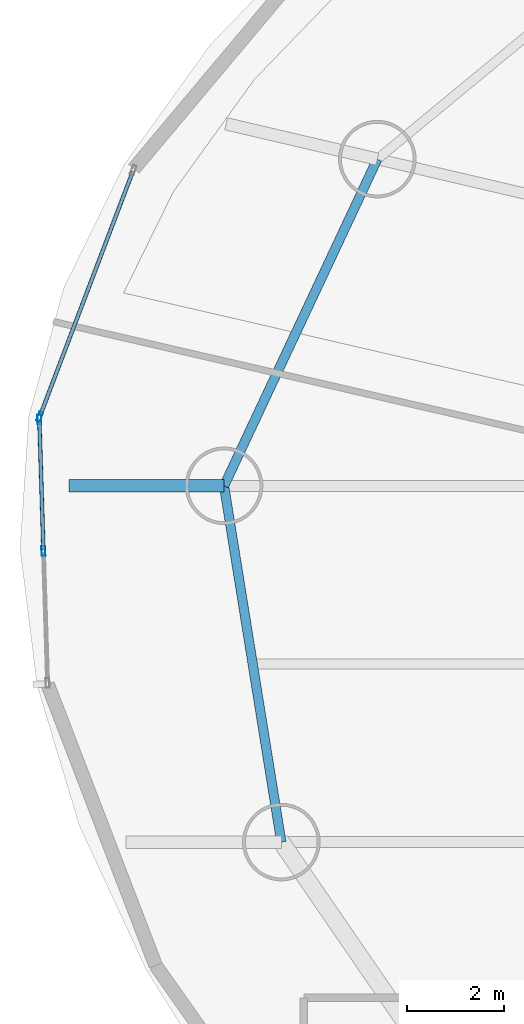
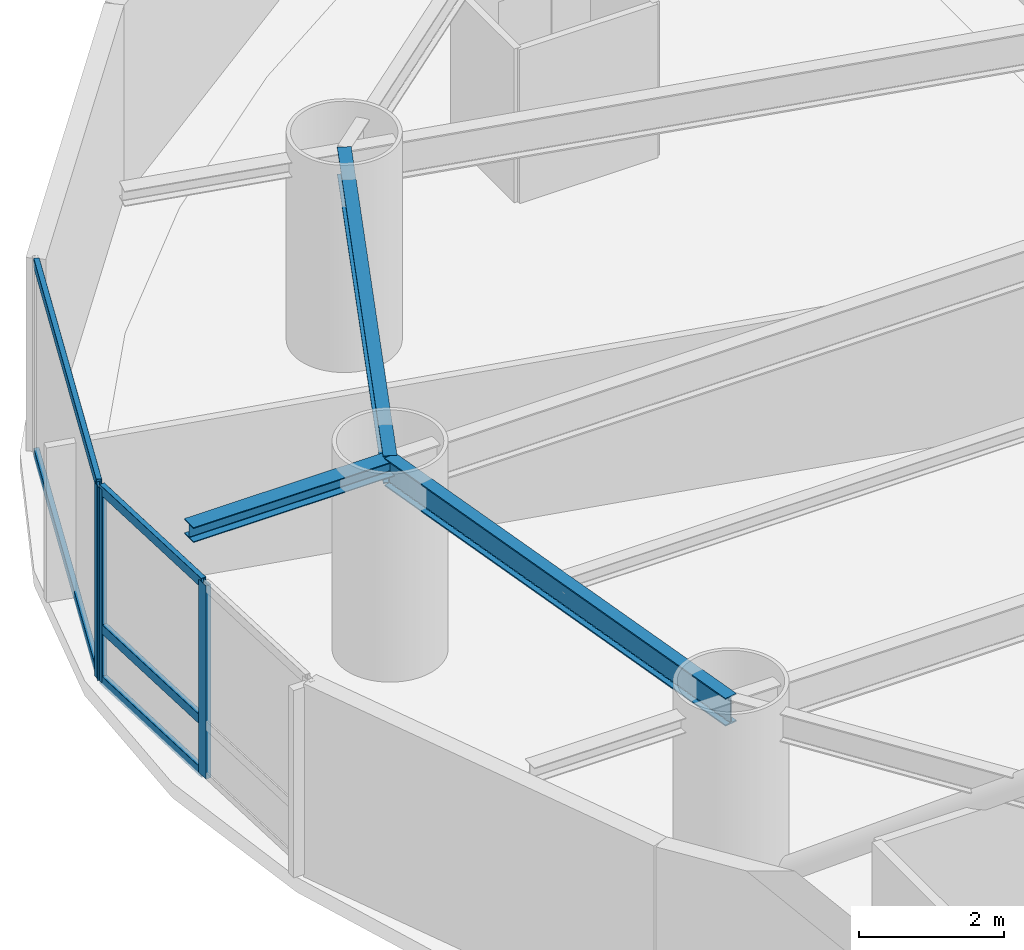
# One storey, part 6 of 27: 8 members, 3 beams, 2 elements without a shape of their own.
"""IFC4 building model written with IfcOpenShell, lengths in metres."""

from ifc_helpers import new_model, si_unit, direction, frame, origin, origin_2d, place, context, subcontext, project, spatial, hollow_rectangle, i_section, extrude, material, layer, layer_set, material_profile, profile_set, type_object, element, aggregate, save


model = new_model("IFC4")

# Units and contexts
model_context = context("Model", 3, precision=1e-05, world=origin(), true_north=direction((0.0, 1.0)))
body_context = subcontext(model_context, "Body", "Model", "MODEL_VIEW")
ifc_project = project(units=[si_unit("LENGTHUNIT", "METRE"), si_unit("AREAUNIT", "SQUARE_METRE"), si_unit("VOLUMEUNIT", "CUBIC_METRE"), si_unit("PLANEANGLEUNIT", "RADIAN"), si_unit("MASSUNIT", "GRAM", prefix="KILO")], contexts=[model_context])

# Site, building, storey
site_placement = place(None, origin())
site = spatial("IfcSite", under=ifc_project, at=site_placement, CompositionType="ELEMENT")
building_placement = place(site_placement, origin())
building = spatial("IfcBuilding", under=site, at=building_placement, Name="Bramvorn Convention Spire", CompositionType="ELEMENT")
storey_placement = place(building_placement, frame((0.0, 0.0, 72.89990234375)))
storey = spatial("IfcBuildingStorey", under=building, at=storey_placement, Name="L16", CompositionType="ELEMENT", Elevation=72.89990234375)

# Beams
ifc_material_1 = material(Name="Steel CSA G40.21 Grade 350 (350W)", Category="steel")
ifc_material_profile_1 = material_profile(ifc_material_1, i_section(OverallWidth=0.25390625, OverallDepth=0.2529296875, WebThickness=0.008544921875, FlangeThickness=0.01416015625, FilletRadius=0.011962890625, at=origin_2d()))
ifc_profile_set_1 = profile_set([ifc_material_profile_1], Name="Steel CSA G40.21 Grade 350 (350W) - W250X73")
beam_type_1 = type_object("IfcBeamType", Name="BM-W250X73", PredefinedType="BEAM", material=ifc_profile_set_1)
beam_placement = place(storey_placement, frame((9.480224609375, 30.00830078125, 3.108642578125), z_axis=(-1.0, 0.0, 0.0), x_axis=(0.0, -1.0, 0.0)))
element("IfcBeam", 1, at=beam_placement, inside=storey, type_object=beam_type_1, Name="L16 slab-edge cantilever tip beam MC09", PredefinedType="BEAM", context=body_context, shape_type="SweptSolid", body=[
    extrude(i_section(OverallWidth=0.25390625, OverallDepth=0.2529296875, WebThickness=0.008544921875, FlangeThickness=0.01416015625, FilletRadius=0.011962890625, at=origin_2d()), origin(), (0.0, 0.0, 1.0), 3.199951171875),
])
ifc_material_profile_2 = material_profile(ifc_material_1, i_section(OverallWidth=0.194091796875, OverallDepth=0.468994140625, WebThickness=0.0126953125, FlangeThickness=0.0205078125, FilletRadius=0.01806640625, at=origin_2d()))
ifc_profile_set_2 = profile_set([ifc_material_profile_2], Name="Steel CSA G40.21 Grade 350 (350W) - W460X106")
beam_type_2 = type_object("IfcBeamType", Name="BM-W460X106", PredefinedType="SPANDREL", material=ifc_profile_set_2)
for number, where, z_axis, x_axis, name in (
    (2, (12.64111328125, 36.746337890625, 3.015625), (-0.424701955478, -0.9053332254, 0.0), (0.9053332254, -0.424701955478, 0.0), "L16 mega-column ring beam 08"),
    (3, (9.480224609375, 30.00830078125, 3.015625), (0.158699222824, -0.987326975563, 0.0), (0.987326975563, 0.158699222824, 0.0), "L16 mega-column ring beam 09"),
):
    element("IfcBeam", number, at=place(storey_placement, frame(where, z_axis=z_axis, x_axis=x_axis)), inside=storey, type_object=beam_type_2, Name=name, PredefinedType="SPANDREL", context=body_context, shape_type="SweptSolid", body=[
        extrude(i_section(OverallWidth=0.194091796875, OverallDepth=0.468994140625, WebThickness=0.0126953125, FlangeThickness=0.0205078125, FilletRadius=0.01806640625, at=origin_2d()), origin(), (0.0, 0.0, 1.0), 7.442626953125),
    ])

# Curtain wall, member
ifc_material_2 = material(Name="Anodised Bronze Unitised Curtain Wall", Category="aluminium")
ifc_layer = layer(ifc_material_2, 0.179931640625)
ifc_layer_set = layer_set([ifc_layer], Name="Anodised Bronze Unitised Curtain Wall - CW-HTL-FRIT")
curtain_wall_type = type_object("IfcCurtainWallType", Name="CW-HTL-FRIT", PredefinedType="USERDEFINED", material=ifc_layer_set)
curtain_wall_1_placement = place(storey_placement, origin())
curtain_wall_1 = element("IfcCurtainWall", 4, at=curtain_wall_1_placement, inside=storey, type_object=curtain_wall_type, Name="L16 fritted glass curtain wall 12", ObjectType="UNITISED CURTAIN WALL", PredefinedType="USERDEFINED")
ifc_material_3 = material(Name="Anodised Bronze Aluminium 6063-T6", Category="aluminium")
ifc_material_profile_3 = material_profile(ifc_material_3, hollow_rectangle(XDim=0.080078125, YDim=0.199951171875, WallThickness=0.00390625, InnerFilletRadius=0.0009765625, OuterFilletRadius=0.00390625, at=origin_2d()))
ifc_profile_set_3 = profile_set([ifc_material_profile_3], Name="Anodised Bronze Aluminium 6063-T6 - CWM80X200")
member_type_1 = type_object("IfcMemberType", Name="CW-MUL-180", PredefinedType="MULLION", material=ifc_profile_set_3)
member_1_placement = place(storey_placement, frame((5.68017578125, 31.438232421875, 0.0), z_axis=(0.0, 0.0, 1.0), x_axis=(-0.934904934292, 0.354898244342, 0.0)))
member_1 = element("IfcMember", 5, at=member_1_placement, type_object=member_type_1, Name="CW2 mullion 1", PredefinedType="MULLION", context=body_context, shape_type="SweptSolid", body=[
    extrude(hollow_rectangle(XDim=0.080078125, YDim=0.199951171875, WallThickness=0.00390625, InnerFilletRadius=0.0009765625, OuterFilletRadius=0.00390625, at=origin_2d()), origin(), (0.0, 0.0, 1.0), 3.25),
])

# Curtain wall, members
curtain_wall_2_placement = place(storey_placement, origin())
curtain_wall_2 = element("IfcCurtainWall", 6, at=curtain_wall_2_placement, inside=storey, type_object=curtain_wall_type, Name="L16 fritted glass curtain wall 13", ObjectType="UNITISED CURTAIN WALL", PredefinedType="USERDEFINED")
member_2_placement = place(storey_placement, frame((5.75537109375, 28.662841796875, 0.0), z_axis=(0.0, 0.0, 1.0), x_axis=(-0.999513282103, -0.031196135965, 0.0)))
member_2 = element("IfcMember", 7, at=member_2_placement, type_object=member_type_1, Name="CW2 mullion 2", PredefinedType="MULLION", context=body_context, shape_type="SweptSolid", body=[
    extrude(hollow_rectangle(XDim=0.080078125, YDim=0.199951171875, WallThickness=0.00390625, InnerFilletRadius=0.0009765625, OuterFilletRadius=0.00390625, at=origin_2d()), origin(), (0.0, 0.0, 1.0), 3.25),
])
member_3_placement = place(storey_placement, frame((5.670654296875, 31.38037109375, 0.0), z_axis=(0.0, 0.0, 1.0), x_axis=(-0.999513282103, -0.031196135965, 0.0)))
member_3 = element("IfcMember", 8, at=member_3_placement, type_object=member_type_1, Name="CW2 mullion 3", PredefinedType="MULLION", context=body_context, shape_type="SweptSolid", body=[
    extrude(hollow_rectangle(XDim=0.080078125, YDim=0.199951171875, WallThickness=0.00390625, InnerFilletRadius=0.0009765625, OuterFilletRadius=0.00390625, at=origin_2d()), origin(), (0.0, 0.0, 1.0), 3.25),
])

# Member
ifc_material_profile_4 = material_profile(ifc_material_3, hollow_rectangle(XDim=0.080078125, YDim=0.159912109375, WallThickness=0.00390625, InnerFilletRadius=0.0009765625, OuterFilletRadius=0.00390625, at=origin_2d()))
ifc_profile_set_4 = profile_set([ifc_material_profile_4], Name="Anodised Bronze Aluminium 6063-T6 - CWT80X160")
member_type_2 = type_object("IfcMemberType", Name="CW-TRN-150", PredefinedType="USERDEFINED", material=ifc_profile_set_4)
member_4_placement = place(storey_placement, frame((5.69091796875, 31.46630859375, 0.030029296875), z_axis=(0.354901946635, 0.93490352886, 0.0), x_axis=(-0.93490352886, 0.354901946635, 0.0)))
member_4 = element("IfcMember", 9, at=member_4_placement, type_object=member_type_2, Name="CW2 transom 1.1", ObjectType="TRANSOM", PredefinedType="USERDEFINED", context=body_context, shape_type="SweptSolid", body=[
    extrude(hollow_rectangle(XDim=0.080078125, YDim=0.159912109375, WallThickness=0.00390625, InnerFilletRadius=0.0009765625, OuterFilletRadius=0.00390625, at=origin_2d()), origin(), (0.0, 0.0, 1.0), 5.37744140625),
])

member_5_placement = place(storey_placement, frame((5.69091796875, 31.46630859375, 3.22021484375), z_axis=(0.354901946635, 0.93490352886, 0.0), x_axis=(-0.93490352886, 0.354901946635, 0.0)))
member_5 = element("IfcMember", 10, at=member_5_placement, type_object=member_type_2, Name="CW2 transom 1.2", ObjectType="TRANSOM", PredefinedType="USERDEFINED", context=body_context, shape_type="SweptSolid", body=[
    extrude(hollow_rectangle(XDim=0.080078125, YDim=0.159912109375, WallThickness=0.00390625, InnerFilletRadius=0.0009765625, OuterFilletRadius=0.00390625, at=origin_2d()), origin(), (0.0, 0.0, 1.0), 5.37744140625),
])

aggregate(curtain_wall_1, [member_1, member_4, member_5])

member_6_placement = place(storey_placement, frame((5.75439453125, 28.69287109375, 0.030029296875), z_axis=(-0.031220418753, 0.99951252391, 0.0), x_axis=(-0.99951252391, -0.031220418753, 0.0)))
member_6 = element("IfcMember", 11, at=member_6_placement, type_object=member_type_2, Name="CW2 transom 2.1", ObjectType="TRANSOM", PredefinedType="USERDEFINED", context=body_context, shape_type="SweptSolid", body=[
    extrude(hollow_rectangle(XDim=0.080078125, YDim=0.159912109375, WallThickness=0.00390625, InnerFilletRadius=0.0009765625, OuterFilletRadius=0.00390625, at=origin_2d()), origin(), (0.0, 0.0, 1.0), 2.65869140625),
])

member_7_placement = place(storey_placement, frame((5.75439453125, 28.69287109375, 0.900146484375), z_axis=(-0.031220418753, 0.99951252391, 0.0), x_axis=(-0.99951252391, -0.031220418753, 0.0)))
member_7 = element("IfcMember", 12, at=member_7_placement, type_object=member_type_2, Name="CW2 transom 2.2", ObjectType="TRANSOM", PredefinedType="USERDEFINED", context=body_context, shape_type="SweptSolid", body=[
    extrude(hollow_rectangle(XDim=0.080078125, YDim=0.159912109375, WallThickness=0.00390625, InnerFilletRadius=0.0009765625, OuterFilletRadius=0.00390625, at=origin_2d()), origin(), (0.0, 0.0, 1.0), 2.65869140625),
])

member_8_placement = place(storey_placement, frame((5.75439453125, 28.69287109375, 3.22021484375), z_axis=(-0.031220418753, 0.99951252391, 0.0), x_axis=(-0.99951252391, -0.031220418753, 0.0)))
member_8 = element("IfcMember", 13, at=member_8_placement, type_object=member_type_2, Name="CW2 transom 2.3", ObjectType="TRANSOM", PredefinedType="USERDEFINED", context=body_context, shape_type="SweptSolid", body=[
    extrude(hollow_rectangle(XDim=0.080078125, YDim=0.159912109375, WallThickness=0.00390625, InnerFilletRadius=0.0009765625, OuterFilletRadius=0.00390625, at=origin_2d()), origin(), (0.0, 0.0, 1.0), 2.65869140625),
])

aggregate(curtain_wall_2, [member_2, member_3, member_6, member_7, member_8])

save(model, "model.ifc")
